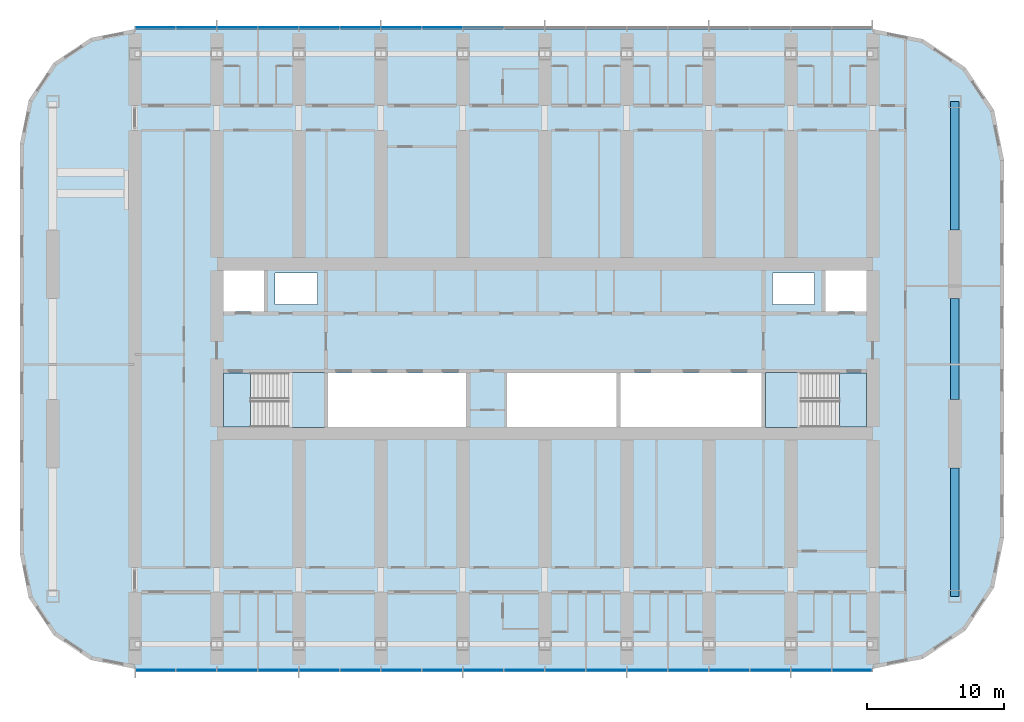
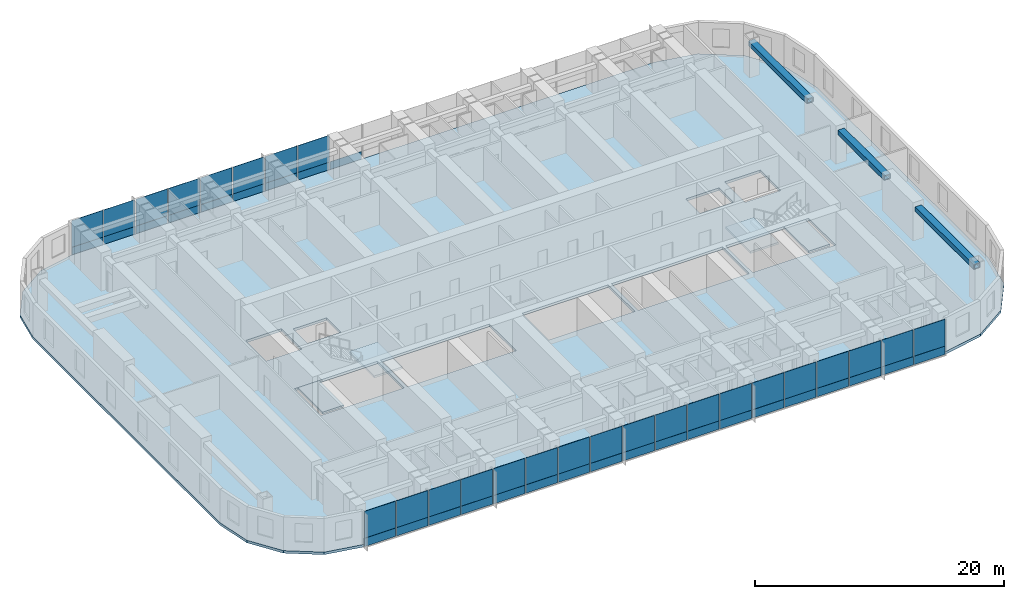
# One storey, part 6 of 21: 53 plates, 5 slabs, 3 beams, 4 elements without a shape of their own.
"""IFC4 building model written with IfcOpenShell, lengths in metres."""

from ifc_helpers import new_model, si_unit, direction, frame, origin, origin_2d, place, context, subcontext, project, spatial, polyline, rectangle, hollow_rectangle, outline, extrude, material, layer, layer_set, material_profile, profile_set, type_object, element, aggregate, save


model = new_model("IFC4")

# Units and contexts
model_context = context("Model", 3, precision=1e-05, world=origin(), true_north=direction((0.0, 1.0)))
body_context = subcontext(model_context, "Body", "Model", "MODEL_VIEW")
ifc_project = project(units=[si_unit("LENGTHUNIT", "METRE"), si_unit("AREAUNIT", "SQUARE_METRE"), si_unit("VOLUMEUNIT", "CUBIC_METRE"), si_unit("PLANEANGLEUNIT", "RADIAN"), si_unit("MASSUNIT", "GRAM", prefix="KILO")], contexts=[model_context])

# Site, building, storey
site_placement = place(None, origin())
site = spatial("IfcSite", under=ifc_project, at=site_placement, CompositionType="ELEMENT")
building_placement = place(site_placement, origin())
building = spatial("IfcBuilding", under=site, at=building_placement, Name="Orbita Commons", CompositionType="ELEMENT")
storey_placement = place(building_placement, frame((0.0, 0.0, 110.64990234375)))
storey = spatial("IfcBuildingStorey", under=building, at=storey_placement, Name="L27", CompositionType="ELEMENT", Elevation=110.64990234375)

# Beams
ifc_material_1 = material(Name="Steel ASTM A572 Gr 50 welded plate", Category="steel")
ifc_material_profile = material_profile(ifc_material_1, hollow_rectangle(XDim=0.60009765625, YDim=0.449951171875, WallThickness=0.06005859375, at=origin_2d()), Name="BOX 450x600x60")
ifc_profile_set = profile_set([ifc_material_profile], Name="Steel ASTM A572 Gr 50 welded plate")
beam_type = type_object("IfcBeamType", Name="Steel end frame link BOX 450x600x60", PredefinedType="BEAM", material=ifc_profile_set)
beam_1_placement = place(storey_placement, frame((72.0, 13.89990234375, 3.0751953125), z_axis=(0.0, 1.0, 0.0), x_axis=(-1.0, 0.0, 0.0)))
element("IfcBeam", 1, at=beam_1_placement, inside=storey, type_object=beam_type, Name="End frame beam 13 B-C L27", PredefinedType="BEAM", context=body_context, shape_type="SweptSolid", body=[
    extrude(hollow_rectangle(XDim=0.60009765625, YDim=0.449951171875, WallThickness=0.06005859375, at=origin_2d()), origin(), (0.0, 0.0, 1.0), 9.400146484375),
])
beam_2_placement = place(storey_placement, frame((72.0, 28.300048828125, 3.0751953125), z_axis=(0.0, 1.0, 0.0), x_axis=(-1.0, 0.0, 0.0)))
element("IfcBeam", 2, at=beam_2_placement, inside=storey, type_object=beam_type, Name="End frame beam 13 C-D L27", PredefinedType="BEAM", context=body_context, shape_type="SweptSolid", body=[
    extrude(hollow_rectangle(XDim=0.60009765625, YDim=0.449951171875, WallThickness=0.06005859375, at=origin_2d()), origin(), (0.0, 0.0, 1.0), 7.39990234375),
])
beam_3_placement = place(storey_placement, frame((72.0, 40.699951171875, 3.0751953125), z_axis=(0.0, 1.0, 0.0), x_axis=(-1.0, 0.0, 0.0)))
element("IfcBeam", 3, at=beam_3_placement, inside=storey, type_object=beam_type, Name="End frame beam 13 D-E L27", PredefinedType="BEAM", context=body_context, shape_type="SweptSolid", body=[
    extrude(hollow_rectangle(XDim=0.60009765625, YDim=0.449951171875, WallThickness=0.06005859375, at=origin_2d()), origin(), (0.0, 0.0, 1.0), 9.400146484375),
])

# Slab
ifc_material_2 = material(Name="Concrete C40/50", Category="concrete")
ifc_layer_1 = layer(ifc_material_2, 0.25)
ifc_layer_set_1 = layer_set([ifc_layer_1], Name="Concrete C40/50")
slab_type_1 = type_object("IfcSlabType", Name="Floor slab 250", PredefinedType="FLOOR", material=ifc_layer_set_1)
slab_1_placement = place(storey_placement, frame((0.0, 0.0, -0.25)))
element("IfcSlab", 4, at=slab_1_placement, inside=storey, type_object=slab_type_1, Name="Floor slab L27", PredefinedType="FLOOR", context=body_context, shape_type="SweptSolid", body=[
    extrude(outline(polyline([(66.0, 8.60009765625), (69.673828125, 9.330810546875), (72.788330078125, 11.411865234375), (74.869140625, 14.526123046875), (75.60009765625, 18.199951171875), (75.60009765625, 45.800048828125), (74.869140625, 49.473876953125), (72.788330078125, 52.588134765625), (69.673828125, 54.669189453125), (66.0, 55.39990234375), (12.0, 55.39990234375), (8.785400390625, 54.760498046875), (6.060302734375, 52.939697265625), (4.239501953125, 50.214599609375), (3.60009765625, 47.0), (3.60009765625, 17.0), (4.239501953125, 13.785400390625), (6.060302734375, 11.060302734375), (8.785400390625, 9.239501953125), (12.0, 8.60009765625), (66.0, 8.60009765625)]), holes=[polyline([(18.14990234375, 25.949951171875), (25.85009765625, 25.949951171875), (25.85009765625, 30.25), (18.14990234375, 30.25), (18.14990234375, 25.949951171875)]), polyline([(58.14990234375, 25.949951171875), (65.85009765625, 25.949951171875), (65.85009765625, 30.25), (58.14990234375, 30.25), (58.14990234375, 25.949951171875)]), polyline([(18.14990234375, 34.75), (21.449951171875, 34.75), (21.449951171875, 38.050048828125), (18.14990234375, 38.050048828125), (18.14990234375, 34.75)]), polyline([(62.550048828125, 34.75), (65.85009765625, 34.75), (65.85009765625, 38.050048828125), (62.550048828125, 38.050048828125), (62.550048828125, 34.75)]), polyline([(22.25, 35.25), (25.35009765625, 35.25), (25.35009765625, 37.550048828125), (22.25, 37.550048828125), (22.25, 35.25)]), polyline([(58.64990234375, 35.25), (61.75, 35.25), (61.75, 37.550048828125), (58.64990234375, 37.550048828125), (58.64990234375, 35.25)]), polyline([(26.14990234375, 25.949951171875), (36.25, 25.949951171875), (36.25, 30.25), (26.14990234375, 30.25), (26.14990234375, 25.949951171875)]), polyline([(39.25, 25.949951171875), (47.25, 25.949951171875), (47.25, 30.25), (39.25, 30.25), (39.25, 25.949951171875)]), polyline([(47.550048828125, 25.949951171875), (57.85009765625, 25.949951171875), (57.85009765625, 30.25), (47.550048828125, 30.25), (47.550048828125, 25.949951171875)])]), origin(), (0.0, 0.0, 1.0), 0.25),
])

# Curtain wall, plates
ifc_material_3 = material(Name="Anodised aluminium frame, pale silver", Category="aluminium")
curtain_wall_type = type_object("IfcCurtainWallType", Name="Unitised curtain wall CW-T, vision and spandrel", PredefinedType="NOTDEFINED", material=ifc_material_3)
curtain_wall_1_placement = place(storey_placement, origin())
curtain_wall_1 = element("IfcCurtainWall", 5, at=curtain_wall_1_placement, inside=storey, type_object=curtain_wall_type, Name="Curtain wall south L27", PredefinedType="NOTDEFINED")
ifc_material_4 = material(Name="Anodised aluminium sheet on mineral wool", Category="aluminium")
ifc_layer_2 = layer(ifc_material_4, 0.050048828125)
ifc_layer_set_2 = layer_set([ifc_layer_2], Name="Anodised aluminium sheet on mineral wool")
plate_type_1 = type_object("IfcPlateType", Name="Spandrel panel, pale aluminium over insulation 50", PredefinedType="CURTAIN_PANEL", material=ifc_layer_set_2)
plate_1_placement = place(storey_placement, frame((13.52001953125, 8.489990234375, -0.14990234375), z_axis=(0.0, 0.0, 1.0), x_axis=(1.0, 0.0, 0.0)))
plate_1 = element("IfcPlate", 6, at=plate_1_placement, type_object=plate_type_1, Name="Panel 1.1 CW-L27-S", PredefinedType="CURTAIN_PANEL", context=body_context, shape_type="SweptSolid", body=[
    extrude(rectangle(XDim=2.8798828125, YDim=0.050048828125, at=origin_2d()), origin(), (0.0, 0.0, 1.0), 0.822998046875),
])
plate_2_placement = place(storey_placement, frame((16.5, 8.489990234375, -0.14990234375), z_axis=(0.0, 0.0, 1.0), x_axis=(1.0, 0.0, 0.0)))
plate_2 = element("IfcPlate", 7, at=plate_2_placement, type_object=plate_type_1, Name="Panel 2.1 CW-L27-S", PredefinedType="CURTAIN_PANEL", context=body_context, shape_type="SweptSolid", body=[
    extrude(rectangle(XDim=2.919921875, YDim=0.050048828125, at=origin_2d()), origin(), (0.0, 0.0, 1.0), 0.822998046875),
])
plate_3_placement = place(storey_placement, frame((19.5, 8.489990234375, -0.14990234375), z_axis=(0.0, 0.0, 1.0), x_axis=(1.0, 0.0, 0.0)))
plate_3 = element("IfcPlate", 8, at=plate_3_placement, type_object=plate_type_1, Name="Panel 3.1 CW-L27-S", PredefinedType="CURTAIN_PANEL", context=body_context, shape_type="SweptSolid", body=[
    extrude(rectangle(XDim=2.919921875, YDim=0.050048828125, at=origin_2d()), origin(), (0.0, 0.0, 1.0), 0.822998046875),
])
plate_4_placement = place(storey_placement, frame((22.5, 8.489990234375, -0.14990234375), z_axis=(0.0, 0.0, 1.0), x_axis=(1.0, 0.0, 0.0)))
plate_4 = element("IfcPlate", 9, at=plate_4_placement, type_object=plate_type_1, Name="Panel 4.1 CW-L27-S", PredefinedType="CURTAIN_PANEL", context=body_context, shape_type="SweptSolid", body=[
    extrude(rectangle(XDim=2.919921875, YDim=0.050048828125, at=origin_2d()), origin(), (0.0, 0.0, 1.0), 0.822998046875),
])
plate_5_placement = place(storey_placement, frame((25.5, 8.489990234375, -0.14990234375), z_axis=(0.0, 0.0, 1.0), x_axis=(1.0, 0.0, 0.0)))
plate_5 = element("IfcPlate", 10, at=plate_5_placement, type_object=plate_type_1, Name="Panel 5.1 CW-L27-S", PredefinedType="CURTAIN_PANEL", context=body_context, shape_type="SweptSolid", body=[
    extrude(rectangle(XDim=2.919921875, YDim=0.050048828125, at=origin_2d()), origin(), (0.0, 0.0, 1.0), 0.822998046875),
])
plate_6_placement = place(storey_placement, frame((28.5, 8.489990234375, -0.14990234375), z_axis=(0.0, 0.0, 1.0), x_axis=(1.0, 0.0, 0.0)))
plate_6 = element("IfcPlate", 11, at=plate_6_placement, type_object=plate_type_1, Name="Panel 6.1 CW-L27-S", PredefinedType="CURTAIN_PANEL", context=body_context, shape_type="SweptSolid", body=[
    extrude(rectangle(XDim=2.919921875, YDim=0.050048828125, at=origin_2d()), origin(), (0.0, 0.0, 1.0), 0.822998046875),
])
plate_7_placement = place(storey_placement, frame((31.5, 8.489990234375, -0.14990234375), z_axis=(0.0, 0.0, 1.0), x_axis=(1.0, 0.0, 0.0)))
plate_7 = element("IfcPlate", 12, at=plate_7_placement, type_object=plate_type_1, Name="Panel 7.1 CW-L27-S", PredefinedType="CURTAIN_PANEL", context=body_context, shape_type="SweptSolid", body=[
    extrude(rectangle(XDim=2.919921875, YDim=0.050048828125, at=origin_2d()), origin(), (0.0, 0.0, 1.0), 0.822998046875),
])
plate_8_placement = place(storey_placement, frame((34.5, 8.489990234375, -0.14990234375), z_axis=(0.0, 0.0, 1.0), x_axis=(1.0, 0.0, 0.0)))
plate_8 = element("IfcPlate", 13, at=plate_8_placement, type_object=plate_type_1, Name="Panel 8.1 CW-L27-S", PredefinedType="CURTAIN_PANEL", context=body_context, shape_type="SweptSolid", body=[
    extrude(rectangle(XDim=2.919921875, YDim=0.050048828125, at=origin_2d()), origin(), (0.0, 0.0, 1.0), 0.822998046875),
])
plate_9_placement = place(storey_placement, frame((37.5, 8.489990234375, -0.14990234375), z_axis=(0.0, 0.0, 1.0), x_axis=(1.0, 0.0, 0.0)))
plate_9 = element("IfcPlate", 14, at=plate_9_placement, type_object=plate_type_1, Name="Panel 9.1 CW-L27-S", PredefinedType="CURTAIN_PANEL", context=body_context, shape_type="SweptSolid", body=[
    extrude(rectangle(XDim=2.919921875, YDim=0.050048828125, at=origin_2d()), origin(), (0.0, 0.0, 1.0), 0.822998046875),
])
plate_10_placement = place(storey_placement, frame((40.5, 8.489990234375, -0.14990234375), z_axis=(0.0, 0.0, 1.0), x_axis=(1.0, 0.0, 0.0)))
plate_10 = element("IfcPlate", 15, at=plate_10_placement, type_object=plate_type_1, Name="Panel 10.1 CW-L27-S", PredefinedType="CURTAIN_PANEL", context=body_context, shape_type="SweptSolid", body=[
    extrude(rectangle(XDim=2.919921875, YDim=0.050048828125, at=origin_2d()), origin(), (0.0, 0.0, 1.0), 0.822998046875),
])
plate_11_placement = place(storey_placement, frame((43.5, 8.489990234375, -0.14990234375), z_axis=(0.0, 0.0, 1.0), x_axis=(1.0, 0.0, 0.0)))
plate_11 = element("IfcPlate", 16, at=plate_11_placement, type_object=plate_type_1, Name="Panel 11.1 CW-L27-S", PredefinedType="CURTAIN_PANEL", context=body_context, shape_type="SweptSolid", body=[
    extrude(rectangle(XDim=2.919921875, YDim=0.050048828125, at=origin_2d()), origin(), (0.0, 0.0, 1.0), 0.822998046875),
])
plate_12_placement = place(storey_placement, frame((46.5, 8.489990234375, -0.14990234375), z_axis=(0.0, 0.0, 1.0), x_axis=(1.0, 0.0, 0.0)))
plate_12 = element("IfcPlate", 17, at=plate_12_placement, type_object=plate_type_1, Name="Panel 12.1 CW-L27-S", PredefinedType="CURTAIN_PANEL", context=body_context, shape_type="SweptSolid", body=[
    extrude(rectangle(XDim=2.919921875, YDim=0.050048828125, at=origin_2d()), origin(), (0.0, 0.0, 1.0), 0.822998046875),
])
plate_13_placement = place(storey_placement, frame((49.5, 8.489990234375, -0.14990234375), z_axis=(0.0, 0.0, 1.0), x_axis=(1.0, 0.0, 0.0)))
plate_13 = element("IfcPlate", 18, at=plate_13_placement, type_object=plate_type_1, Name="Panel 13.1 CW-L27-S", PredefinedType="CURTAIN_PANEL", context=body_context, shape_type="SweptSolid", body=[
    extrude(rectangle(XDim=2.919921875, YDim=0.050048828125, at=origin_2d()), origin(), (0.0, 0.0, 1.0), 0.822998046875),
])
plate_14_placement = place(storey_placement, frame((52.5, 8.489990234375, -0.14990234375), z_axis=(0.0, 0.0, 1.0), x_axis=(1.0, 0.0, 0.0)))
plate_14 = element("IfcPlate", 19, at=plate_14_placement, type_object=plate_type_1, Name="Panel 14.1 CW-L27-S", PredefinedType="CURTAIN_PANEL", context=body_context, shape_type="SweptSolid", body=[
    extrude(rectangle(XDim=2.919921875, YDim=0.050048828125, at=origin_2d()), origin(), (0.0, 0.0, 1.0), 0.822998046875),
])
plate_15_placement = place(storey_placement, frame((55.5, 8.489990234375, -0.14990234375), z_axis=(0.0, 0.0, 1.0), x_axis=(1.0, 0.0, 0.0)))
plate_15 = element("IfcPlate", 20, at=plate_15_placement, type_object=plate_type_1, Name="Panel 15.1 CW-L27-S", PredefinedType="CURTAIN_PANEL", context=body_context, shape_type="SweptSolid", body=[
    extrude(rectangle(XDim=2.919921875, YDim=0.050048828125, at=origin_2d()), origin(), (0.0, 0.0, 1.0), 0.822998046875),
])
plate_16_placement = place(storey_placement, frame((58.5, 8.489990234375, -0.14990234375), z_axis=(0.0, 0.0, 1.0), x_axis=(1.0, 0.0, 0.0)))
plate_16 = element("IfcPlate", 21, at=plate_16_placement, type_object=plate_type_1, Name="Panel 16.1 CW-L27-S", PredefinedType="CURTAIN_PANEL", context=body_context, shape_type="SweptSolid", body=[
    extrude(rectangle(XDim=2.919921875, YDim=0.050048828125, at=origin_2d()), origin(), (0.0, 0.0, 1.0), 0.822998046875),
])
plate_17_placement = place(storey_placement, frame((61.5, 8.489990234375, -0.14990234375), z_axis=(0.0, 0.0, 1.0), x_axis=(1.0, 0.0, 0.0)))
plate_17 = element("IfcPlate", 22, at=plate_17_placement, type_object=plate_type_1, Name="Panel 17.1 CW-L27-S", PredefinedType="CURTAIN_PANEL", context=body_context, shape_type="SweptSolid", body=[
    extrude(rectangle(XDim=2.919921875, YDim=0.050048828125, at=origin_2d()), origin(), (0.0, 0.0, 1.0), 0.822998046875),
])
plate_18_placement = place(storey_placement, frame((64.47998046875, 8.489990234375, -0.14990234375), z_axis=(0.0, 0.0, 1.0), x_axis=(1.0, 0.0, 0.0)))
plate_18 = element("IfcPlate", 23, at=plate_18_placement, type_object=plate_type_1, Name="Panel 18.1 CW-L27-S", PredefinedType="CURTAIN_PANEL", context=body_context, shape_type="SweptSolid", body=[
    extrude(rectangle(XDim=2.8798828125, YDim=0.050048828125, at=origin_2d()), origin(), (0.0, 0.0, 1.0), 0.822998046875),
])

curtain_wall_2_placement = place(storey_placement, origin())
curtain_wall_2 = element("IfcCurtainWall", 24, at=curtain_wall_2_placement, inside=storey, type_object=curtain_wall_type, Name="Curtain wall north L27", PredefinedType="NOTDEFINED")
plate_19_placement = place(storey_placement, frame((37.5, 55.510009765625, -0.14990234375), z_axis=(0.0, 0.0, 1.0), x_axis=(-1.0, 0.0, 0.0)))
plate_19 = element("IfcPlate", 25, at=plate_19_placement, type_object=plate_type_1, Name="Panel 10.1 CW-L27-N", PredefinedType="CURTAIN_PANEL", context=body_context, shape_type="SweptSolid", body=[
    extrude(rectangle(XDim=2.919921875, YDim=0.050048828125, at=origin_2d()), origin(), (0.0, 0.0, 1.0), 0.822998046875),
])
plate_20_placement = place(storey_placement, frame((34.5, 55.510009765625, -0.14990234375), z_axis=(0.0, 0.0, 1.0), x_axis=(-1.0, 0.0, 0.0)))
plate_20 = element("IfcPlate", 26, at=plate_20_placement, type_object=plate_type_1, Name="Panel 11.1 CW-L27-N", PredefinedType="CURTAIN_PANEL", context=body_context, shape_type="SweptSolid", body=[
    extrude(rectangle(XDim=2.919921875, YDim=0.050048828125, at=origin_2d()), origin(), (0.0, 0.0, 1.0), 0.822998046875),
])
plate_21_placement = place(storey_placement, frame((31.5, 55.510009765625, -0.14990234375), z_axis=(0.0, 0.0, 1.0), x_axis=(-1.0, 0.0, 0.0)))
plate_21 = element("IfcPlate", 27, at=plate_21_placement, type_object=plate_type_1, Name="Panel 12.1 CW-L27-N", PredefinedType="CURTAIN_PANEL", context=body_context, shape_type="SweptSolid", body=[
    extrude(rectangle(XDim=2.919921875, YDim=0.050048828125, at=origin_2d()), origin(), (0.0, 0.0, 1.0), 0.822998046875),
])
plate_22_placement = place(storey_placement, frame((28.5, 55.510009765625, -0.14990234375), z_axis=(0.0, 0.0, 1.0), x_axis=(-1.0, 0.0, 0.0)))
plate_22 = element("IfcPlate", 28, at=plate_22_placement, type_object=plate_type_1, Name="Panel 13.1 CW-L27-N", PredefinedType="CURTAIN_PANEL", context=body_context, shape_type="SweptSolid", body=[
    extrude(rectangle(XDim=2.919921875, YDim=0.050048828125, at=origin_2d()), origin(), (0.0, 0.0, 1.0), 0.822998046875),
])
plate_23_placement = place(storey_placement, frame((25.5, 55.510009765625, -0.14990234375), z_axis=(0.0, 0.0, 1.0), x_axis=(-1.0, 0.0, 0.0)))
plate_23 = element("IfcPlate", 29, at=plate_23_placement, type_object=plate_type_1, Name="Panel 14.1 CW-L27-N", PredefinedType="CURTAIN_PANEL", context=body_context, shape_type="SweptSolid", body=[
    extrude(rectangle(XDim=2.919921875, YDim=0.050048828125, at=origin_2d()), origin(), (0.0, 0.0, 1.0), 0.822998046875),
])
plate_24_placement = place(storey_placement, frame((22.5, 55.510009765625, -0.14990234375), z_axis=(0.0, 0.0, 1.0), x_axis=(-1.0, 0.0, 0.0)))
plate_24 = element("IfcPlate", 30, at=plate_24_placement, type_object=plate_type_1, Name="Panel 15.1 CW-L27-N", PredefinedType="CURTAIN_PANEL", context=body_context, shape_type="SweptSolid", body=[
    extrude(rectangle(XDim=2.919921875, YDim=0.050048828125, at=origin_2d()), origin(), (0.0, 0.0, 1.0), 0.822998046875),
])
plate_25_placement = place(storey_placement, frame((19.5, 55.510009765625, -0.14990234375), z_axis=(0.0, 0.0, 1.0), x_axis=(-1.0, 0.0, 0.0)))
plate_25 = element("IfcPlate", 31, at=plate_25_placement, type_object=plate_type_1, Name="Panel 16.1 CW-L27-N", PredefinedType="CURTAIN_PANEL", context=body_context, shape_type="SweptSolid", body=[
    extrude(rectangle(XDim=2.919921875, YDim=0.050048828125, at=origin_2d()), origin(), (0.0, 0.0, 1.0), 0.822998046875),
])
plate_26_placement = place(storey_placement, frame((16.5, 55.510009765625, -0.14990234375), z_axis=(0.0, 0.0, 1.0), x_axis=(-1.0, 0.0, 0.0)))
plate_26 = element("IfcPlate", 32, at=plate_26_placement, type_object=plate_type_1, Name="Panel 17.1 CW-L27-N", PredefinedType="CURTAIN_PANEL", context=body_context, shape_type="SweptSolid", body=[
    extrude(rectangle(XDim=2.919921875, YDim=0.050048828125, at=origin_2d()), origin(), (0.0, 0.0, 1.0), 0.822998046875),
])
plate_27_placement = place(storey_placement, frame((13.52001953125, 55.510009765625, -0.14990234375), z_axis=(0.0, 0.0, 1.0), x_axis=(-1.0, 0.0, 0.0)))
plate_27 = element("IfcPlate", 33, at=plate_27_placement, type_object=plate_type_1, Name="Panel 18.1 CW-L27-N", PredefinedType="CURTAIN_PANEL", context=body_context, shape_type="SweptSolid", body=[
    extrude(rectangle(XDim=2.8798828125, YDim=0.050048828125, at=origin_2d()), origin(), (0.0, 0.0, 1.0), 0.822998046875),
])

# Stair, slabs
ifc_material_5 = material(Name="Precast concrete C40/50", Category="concrete")
stair_type_1 = type_object("IfcStairType", Name="Exit stair S1 2 flights 11 risers 170", PredefinedType="HALF_TURN_STAIR", material=ifc_material_5)
stair_1_placement = place(storey_placement, origin())
stair_1 = element("IfcStair", 34, at=stair_1_placement, inside=storey, type_object=stair_type_1, Name="Exit stair S1 L27", PredefinedType="HALF_TURN_STAIR")
ifc_material_6 = material(Name="Concrete C40/50", Category="concrete")
ifc_layer_3 = layer(ifc_material_6, 0.199951171875)
ifc_layer_set_3 = layer_set([ifc_layer_3], Name="Concrete C40/50")
slab_type_2 = type_object("IfcSlabType", Name="Stair landing 200", PredefinedType="LANDING", material=ifc_layer_set_3)
slab_2_placement = place(storey_placement, frame((0.0, 0.0, -0.199951171875)))
slab_2 = element("IfcSlab", 35, at=slab_2_placement, type_object=slab_type_2, Name="S1 landing 1", PredefinedType="LANDING", context=body_context, shape_type="SweptSolid", body=[
    extrude(outline(polyline([(18.47509765625, 26.27490234375), (20.449951171875, 26.27490234375), (20.449951171875, 30.25), (18.47509765625, 30.25), (18.47509765625, 26.27490234375)])), origin(), (0.0, 0.0, 1.0), 0.199951171875),
])
slab_3_placement = place(storey_placement, frame((0.0, 0.0, 1.675048828125)))
slab_3 = element("IfcSlab", 36, at=slab_3_placement, type_object=slab_type_2, Name="S1 landing 2", PredefinedType="LANDING", context=body_context, shape_type="SweptSolid", body=[
    extrude(outline(polyline([(23.25, 26.260009765625), (25.864990234375, 26.260009765625), (25.864990234375, 30.264892578125), (23.25, 30.264892578125), (23.25, 26.260009765625)])), origin(), (0.0, 0.0, 1.0), 0.199951171875),
])
aggregate(stair_1, [slab_2, slab_3])

ifc_material_7 = material(Name="Precast concrete C40/50", Category="concrete")
stair_type_2 = type_object("IfcStairType", Name="Exit stair S2 2 flights 11 risers 170", PredefinedType="HALF_TURN_STAIR", material=ifc_material_7)
stair_2_placement = place(storey_placement, origin())
stair_2 = element("IfcStair", 37, at=stair_2_placement, inside=storey, type_object=stair_type_2, Name="Exit stair S2 L27", PredefinedType="HALF_TURN_STAIR")
slab_4_placement = place(storey_placement, frame((0.0, 0.0, -0.199951171875)))
slab_4 = element("IfcSlab", 38, at=slab_4_placement, type_object=slab_type_2, Name="S2 landing 1", PredefinedType="LANDING", context=body_context, shape_type="SweptSolid", body=[
    extrude(outline(polyline([(63.550048828125, 26.27490234375), (65.52490234375, 26.27490234375), (65.52490234375, 30.25), (63.550048828125, 30.25), (63.550048828125, 26.27490234375)])), origin(), (0.0, 0.0, 1.0), 0.199951171875),
])
slab_5_placement = place(storey_placement, frame((0.0, 0.0, 1.675048828125)))
slab_5 = element("IfcSlab", 39, at=slab_5_placement, type_object=slab_type_2, Name="S2 landing 2", PredefinedType="LANDING", context=body_context, shape_type="SweptSolid", body=[
    extrude(outline(polyline([(58.135009765625, 26.260009765625), (60.75, 26.260009765625), (60.75, 30.264892578125), (58.135009765625, 30.264892578125), (58.135009765625, 26.260009765625)])), origin(), (0.0, 0.0, 1.0), 0.199951171875),
])
aggregate(stair_2, [slab_4, slab_5])

# Plate
ifc_material_8 = material(Name="Clear double glazing", Category="glass")
ifc_layer_4 = layer(ifc_material_8, 0.031982421875)
ifc_layer_set_4 = layer_set([ifc_layer_4], Name="Clear double glazing")
plate_type_2 = type_object("IfcPlateType", Name="Vision panel, clear double glazing 32", PredefinedType="CURTAIN_PANEL", material=ifc_layer_set_4)
plate_28_placement = place(storey_placement, frame((13.52001953125, 8.489990234375, 0.673095703125), z_axis=(0.0, 0.0, 1.0), x_axis=(1.0, 0.0, 0.0)))
plate_28 = element("IfcPlate", 40, at=plate_28_placement, type_object=plate_type_2, Name="Panel 1.2 CW-L27-S", PredefinedType="CURTAIN_PANEL", context=body_context, shape_type="SweptSolid", body=[
    extrude(rectangle(XDim=2.8798828125, YDim=0.031982421875, at=origin_2d()), origin(), (0.0, 0.0, 1.0), 2.626953125),
])

plate_29_placement = place(storey_placement, frame((16.5, 8.489990234375, 0.673095703125), z_axis=(0.0, 0.0, 1.0), x_axis=(1.0, 0.0, 0.0)))
plate_29 = element("IfcPlate", 41, at=plate_29_placement, type_object=plate_type_2, Name="Panel 2.2 CW-L27-S", PredefinedType="CURTAIN_PANEL", context=body_context, shape_type="SweptSolid", body=[
    extrude(rectangle(XDim=2.919921875, YDim=0.031982421875, at=origin_2d()), origin(), (0.0, 0.0, 1.0), 2.626953125),
])

plate_30_placement = place(storey_placement, frame((19.5, 8.489990234375, 0.673095703125), z_axis=(0.0, 0.0, 1.0), x_axis=(1.0, 0.0, 0.0)))
plate_30 = element("IfcPlate", 42, at=plate_30_placement, type_object=plate_type_2, Name="Panel 3.2 CW-L27-S", PredefinedType="CURTAIN_PANEL", context=body_context, shape_type="SweptSolid", body=[
    extrude(rectangle(XDim=2.919921875, YDim=0.031982421875, at=origin_2d()), origin(), (0.0, 0.0, 1.0), 2.626953125),
])

plate_31_placement = place(storey_placement, frame((22.5, 8.489990234375, 0.673095703125), z_axis=(0.0, 0.0, 1.0), x_axis=(1.0, 0.0, 0.0)))
plate_31 = element("IfcPlate", 43, at=plate_31_placement, type_object=plate_type_2, Name="Panel 4.2 CW-L27-S", PredefinedType="CURTAIN_PANEL", context=body_context, shape_type="SweptSolid", body=[
    extrude(rectangle(XDim=2.919921875, YDim=0.031982421875, at=origin_2d()), origin(), (0.0, 0.0, 1.0), 2.626953125),
])

plate_32_placement = place(storey_placement, frame((25.5, 8.489990234375, 0.673095703125), z_axis=(0.0, 0.0, 1.0), x_axis=(1.0, 0.0, 0.0)))
plate_32 = element("IfcPlate", 44, at=plate_32_placement, type_object=plate_type_2, Name="Panel 5.2 CW-L27-S", PredefinedType="CURTAIN_PANEL", context=body_context, shape_type="SweptSolid", body=[
    extrude(rectangle(XDim=2.919921875, YDim=0.031982421875, at=origin_2d()), origin(), (0.0, 0.0, 1.0), 2.626953125),
])

plate_33_placement = place(storey_placement, frame((28.5, 8.489990234375, 0.673095703125), z_axis=(0.0, 0.0, 1.0), x_axis=(1.0, 0.0, 0.0)))
plate_33 = element("IfcPlate", 45, at=plate_33_placement, type_object=plate_type_2, Name="Panel 6.2 CW-L27-S", PredefinedType="CURTAIN_PANEL", context=body_context, shape_type="SweptSolid", body=[
    extrude(rectangle(XDim=2.919921875, YDim=0.031982421875, at=origin_2d()), origin(), (0.0, 0.0, 1.0), 2.626953125),
])

plate_34_placement = place(storey_placement, frame((31.5, 8.489990234375, 0.673095703125), z_axis=(0.0, 0.0, 1.0), x_axis=(1.0, 0.0, 0.0)))
plate_34 = element("IfcPlate", 46, at=plate_34_placement, type_object=plate_type_2, Name="Panel 7.2 CW-L27-S", PredefinedType="CURTAIN_PANEL", context=body_context, shape_type="SweptSolid", body=[
    extrude(rectangle(XDim=2.919921875, YDim=0.031982421875, at=origin_2d()), origin(), (0.0, 0.0, 1.0), 2.626953125),
])

plate_35_placement = place(storey_placement, frame((34.5, 8.489990234375, 0.673095703125), z_axis=(0.0, 0.0, 1.0), x_axis=(1.0, 0.0, 0.0)))
plate_35 = element("IfcPlate", 47, at=plate_35_placement, type_object=plate_type_2, Name="Panel 8.2 CW-L27-S", PredefinedType="CURTAIN_PANEL", context=body_context, shape_type="SweptSolid", body=[
    extrude(rectangle(XDim=2.919921875, YDim=0.031982421875, at=origin_2d()), origin(), (0.0, 0.0, 1.0), 2.626953125),
])

plate_36_placement = place(storey_placement, frame((37.5, 8.489990234375, 0.673095703125), z_axis=(0.0, 0.0, 1.0), x_axis=(1.0, 0.0, 0.0)))
plate_36 = element("IfcPlate", 48, at=plate_36_placement, type_object=plate_type_2, Name="Panel 9.2 CW-L27-S", PredefinedType="CURTAIN_PANEL", context=body_context, shape_type="SweptSolid", body=[
    extrude(rectangle(XDim=2.919921875, YDim=0.031982421875, at=origin_2d()), origin(), (0.0, 0.0, 1.0), 2.626953125),
])

plate_37_placement = place(storey_placement, frame((40.5, 8.489990234375, 0.673095703125), z_axis=(0.0, 0.0, 1.0), x_axis=(1.0, 0.0, 0.0)))
plate_37 = element("IfcPlate", 49, at=plate_37_placement, type_object=plate_type_2, Name="Panel 10.2 CW-L27-S", PredefinedType="CURTAIN_PANEL", context=body_context, shape_type="SweptSolid", body=[
    extrude(rectangle(XDim=2.919921875, YDim=0.031982421875, at=origin_2d()), origin(), (0.0, 0.0, 1.0), 2.626953125),
])

plate_38_placement = place(storey_placement, frame((43.5, 8.489990234375, 0.673095703125), z_axis=(0.0, 0.0, 1.0), x_axis=(1.0, 0.0, 0.0)))
plate_38 = element("IfcPlate", 50, at=plate_38_placement, type_object=plate_type_2, Name="Panel 11.2 CW-L27-S", PredefinedType="CURTAIN_PANEL", context=body_context, shape_type="SweptSolid", body=[
    extrude(rectangle(XDim=2.919921875, YDim=0.031982421875, at=origin_2d()), origin(), (0.0, 0.0, 1.0), 2.626953125),
])

plate_39_placement = place(storey_placement, frame((46.5, 8.489990234375, 0.673095703125), z_axis=(0.0, 0.0, 1.0), x_axis=(1.0, 0.0, 0.0)))
plate_39 = element("IfcPlate", 51, at=plate_39_placement, type_object=plate_type_2, Name="Panel 12.2 CW-L27-S", PredefinedType="CURTAIN_PANEL", context=body_context, shape_type="SweptSolid", body=[
    extrude(rectangle(XDim=2.919921875, YDim=0.031982421875, at=origin_2d()), origin(), (0.0, 0.0, 1.0), 2.626953125),
])

plate_40_placement = place(storey_placement, frame((49.5, 8.489990234375, 0.673095703125), z_axis=(0.0, 0.0, 1.0), x_axis=(1.0, 0.0, 0.0)))
plate_40 = element("IfcPlate", 52, at=plate_40_placement, type_object=plate_type_2, Name="Panel 13.2 CW-L27-S", PredefinedType="CURTAIN_PANEL", context=body_context, shape_type="SweptSolid", body=[
    extrude(rectangle(XDim=2.919921875, YDim=0.031982421875, at=origin_2d()), origin(), (0.0, 0.0, 1.0), 2.626953125),
])

plate_41_placement = place(storey_placement, frame((52.5, 8.489990234375, 0.673095703125), z_axis=(0.0, 0.0, 1.0), x_axis=(1.0, 0.0, 0.0)))
plate_41 = element("IfcPlate", 53, at=plate_41_placement, type_object=plate_type_2, Name="Panel 14.2 CW-L27-S", PredefinedType="CURTAIN_PANEL", context=body_context, shape_type="SweptSolid", body=[
    extrude(rectangle(XDim=2.919921875, YDim=0.031982421875, at=origin_2d()), origin(), (0.0, 0.0, 1.0), 2.626953125),
])

plate_42_placement = place(storey_placement, frame((55.5, 8.489990234375, 0.673095703125), z_axis=(0.0, 0.0, 1.0), x_axis=(1.0, 0.0, 0.0)))
plate_42 = element("IfcPlate", 54, at=plate_42_placement, type_object=plate_type_2, Name="Panel 15.2 CW-L27-S", PredefinedType="CURTAIN_PANEL", context=body_context, shape_type="SweptSolid", body=[
    extrude(rectangle(XDim=2.919921875, YDim=0.031982421875, at=origin_2d()), origin(), (0.0, 0.0, 1.0), 2.626953125),
])

plate_43_placement = place(storey_placement, frame((58.5, 8.489990234375, 0.673095703125), z_axis=(0.0, 0.0, 1.0), x_axis=(1.0, 0.0, 0.0)))
plate_43 = element("IfcPlate", 55, at=plate_43_placement, type_object=plate_type_2, Name="Panel 16.2 CW-L27-S", PredefinedType="CURTAIN_PANEL", context=body_context, shape_type="SweptSolid", body=[
    extrude(rectangle(XDim=2.919921875, YDim=0.031982421875, at=origin_2d()), origin(), (0.0, 0.0, 1.0), 2.626953125),
])

plate_44_placement = place(storey_placement, frame((61.5, 8.489990234375, 0.673095703125), z_axis=(0.0, 0.0, 1.0), x_axis=(1.0, 0.0, 0.0)))
plate_44 = element("IfcPlate", 56, at=plate_44_placement, type_object=plate_type_2, Name="Panel 17.2 CW-L27-S", PredefinedType="CURTAIN_PANEL", context=body_context, shape_type="SweptSolid", body=[
    extrude(rectangle(XDim=2.919921875, YDim=0.031982421875, at=origin_2d()), origin(), (0.0, 0.0, 1.0), 2.626953125),
])

plate_45_placement = place(storey_placement, frame((64.47998046875, 8.489990234375, 0.673095703125), z_axis=(0.0, 0.0, 1.0), x_axis=(1.0, 0.0, 0.0)))
plate_45 = element("IfcPlate", 57, at=plate_45_placement, type_object=plate_type_2, Name="Panel 18.2 CW-L27-S", PredefinedType="CURTAIN_PANEL", context=body_context, shape_type="SweptSolid", body=[
    extrude(rectangle(XDim=2.8798828125, YDim=0.031982421875, at=origin_2d()), origin(), (0.0, 0.0, 1.0), 2.626953125),
])

aggregate(curtain_wall_1, [plate_1, plate_28, plate_2, plate_29, plate_3, plate_30, plate_4, plate_31, plate_5, plate_32, plate_6, plate_33, plate_7, plate_34, plate_8, plate_35, plate_9, plate_36, plate_10, plate_37, plate_11, plate_38, plate_12, plate_39, plate_13, plate_40, plate_14, plate_41, plate_15, plate_42, plate_16, plate_43, plate_17, plate_44, plate_18, plate_45])

plate_46_placement = place(storey_placement, frame((34.5, 55.510009765625, 0.673095703125), z_axis=(0.0, 0.0, 1.0), x_axis=(-1.0, 0.0, 0.0)))
plate_46 = element("IfcPlate", 58, at=plate_46_placement, type_object=plate_type_2, Name="Panel 11.2 CW-L27-N", PredefinedType="CURTAIN_PANEL", context=body_context, shape_type="SweptSolid", body=[
    extrude(rectangle(XDim=2.919921875, YDim=0.031982421875, at=origin_2d()), origin(), (0.0, 0.0, 1.0), 2.626953125),
])

plate_47_placement = place(storey_placement, frame((31.5, 55.510009765625, 0.673095703125), z_axis=(0.0, 0.0, 1.0), x_axis=(-1.0, 0.0, 0.0)))
plate_47 = element("IfcPlate", 59, at=plate_47_placement, type_object=plate_type_2, Name="Panel 12.2 CW-L27-N", PredefinedType="CURTAIN_PANEL", context=body_context, shape_type="SweptSolid", body=[
    extrude(rectangle(XDim=2.919921875, YDim=0.031982421875, at=origin_2d()), origin(), (0.0, 0.0, 1.0), 2.626953125),
])

plate_48_placement = place(storey_placement, frame((28.5, 55.510009765625, 0.673095703125), z_axis=(0.0, 0.0, 1.0), x_axis=(-1.0, 0.0, 0.0)))
plate_48 = element("IfcPlate", 60, at=plate_48_placement, type_object=plate_type_2, Name="Panel 13.2 CW-L27-N", PredefinedType="CURTAIN_PANEL", context=body_context, shape_type="SweptSolid", body=[
    extrude(rectangle(XDim=2.919921875, YDim=0.031982421875, at=origin_2d()), origin(), (0.0, 0.0, 1.0), 2.626953125),
])

plate_49_placement = place(storey_placement, frame((25.5, 55.510009765625, 0.673095703125), z_axis=(0.0, 0.0, 1.0), x_axis=(-1.0, 0.0, 0.0)))
plate_49 = element("IfcPlate", 61, at=plate_49_placement, type_object=plate_type_2, Name="Panel 14.2 CW-L27-N", PredefinedType="CURTAIN_PANEL", context=body_context, shape_type="SweptSolid", body=[
    extrude(rectangle(XDim=2.919921875, YDim=0.031982421875, at=origin_2d()), origin(), (0.0, 0.0, 1.0), 2.626953125),
])

plate_50_placement = place(storey_placement, frame((22.5, 55.510009765625, 0.673095703125), z_axis=(0.0, 0.0, 1.0), x_axis=(-1.0, 0.0, 0.0)))
plate_50 = element("IfcPlate", 62, at=plate_50_placement, type_object=plate_type_2, Name="Panel 15.2 CW-L27-N", PredefinedType="CURTAIN_PANEL", context=body_context, shape_type="SweptSolid", body=[
    extrude(rectangle(XDim=2.919921875, YDim=0.031982421875, at=origin_2d()), origin(), (0.0, 0.0, 1.0), 2.626953125),
])

plate_51_placement = place(storey_placement, frame((19.5, 55.510009765625, 0.673095703125), z_axis=(0.0, 0.0, 1.0), x_axis=(-1.0, 0.0, 0.0)))
plate_51 = element("IfcPlate", 63, at=plate_51_placement, type_object=plate_type_2, Name="Panel 16.2 CW-L27-N", PredefinedType="CURTAIN_PANEL", context=body_context, shape_type="SweptSolid", body=[
    extrude(rectangle(XDim=2.919921875, YDim=0.031982421875, at=origin_2d()), origin(), (0.0, 0.0, 1.0), 2.626953125),
])

plate_52_placement = place(storey_placement, frame((16.5, 55.510009765625, 0.673095703125), z_axis=(0.0, 0.0, 1.0), x_axis=(-1.0, 0.0, 0.0)))
plate_52 = element("IfcPlate", 64, at=plate_52_placement, type_object=plate_type_2, Name="Panel 17.2 CW-L27-N", PredefinedType="CURTAIN_PANEL", context=body_context, shape_type="SweptSolid", body=[
    extrude(rectangle(XDim=2.919921875, YDim=0.031982421875, at=origin_2d()), origin(), (0.0, 0.0, 1.0), 2.626953125),
])

plate_53_placement = place(storey_placement, frame((13.52001953125, 55.510009765625, 0.673095703125), z_axis=(0.0, 0.0, 1.0), x_axis=(-1.0, 0.0, 0.0)))
plate_53 = element("IfcPlate", 65, at=plate_53_placement, type_object=plate_type_2, Name="Panel 18.2 CW-L27-N", PredefinedType="CURTAIN_PANEL", context=body_context, shape_type="SweptSolid", body=[
    extrude(rectangle(XDim=2.8798828125, YDim=0.031982421875, at=origin_2d()), origin(), (0.0, 0.0, 1.0), 2.626953125),
])

aggregate(curtain_wall_2, [plate_19, plate_20, plate_46, plate_21, plate_47, plate_22, plate_48, plate_23, plate_49, plate_24, plate_50, plate_25, plate_51, plate_26, plate_52, plate_27, plate_53])

save(model, "model.ifc")
